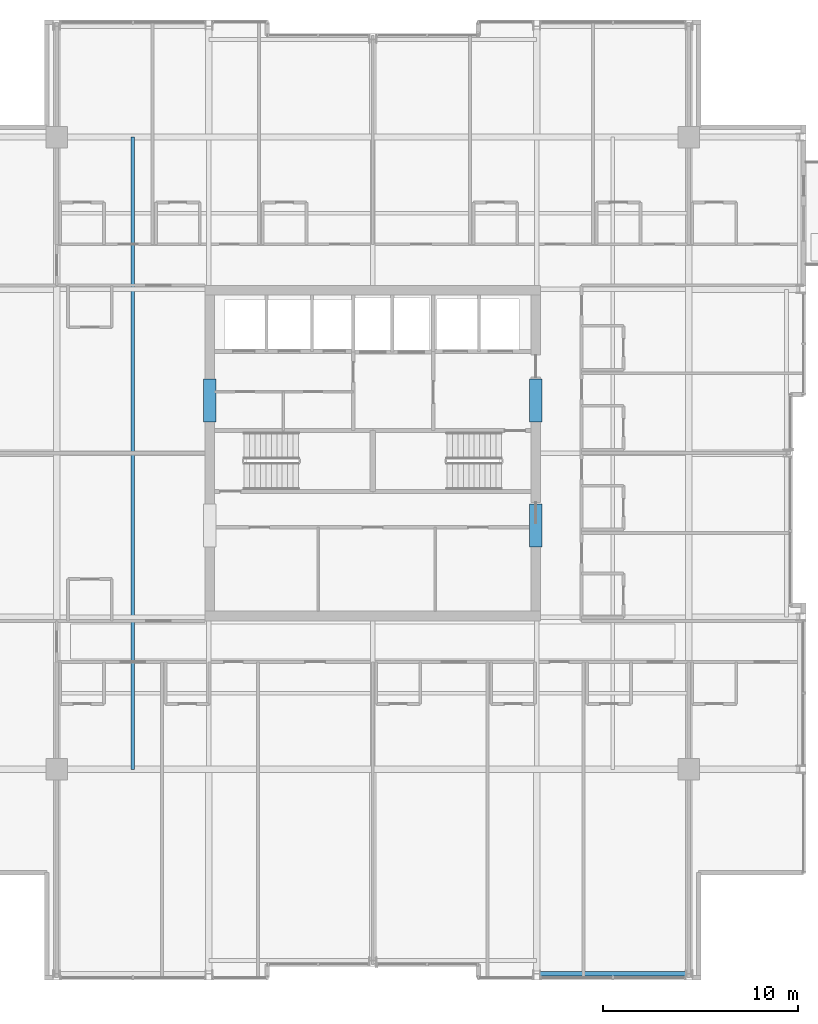
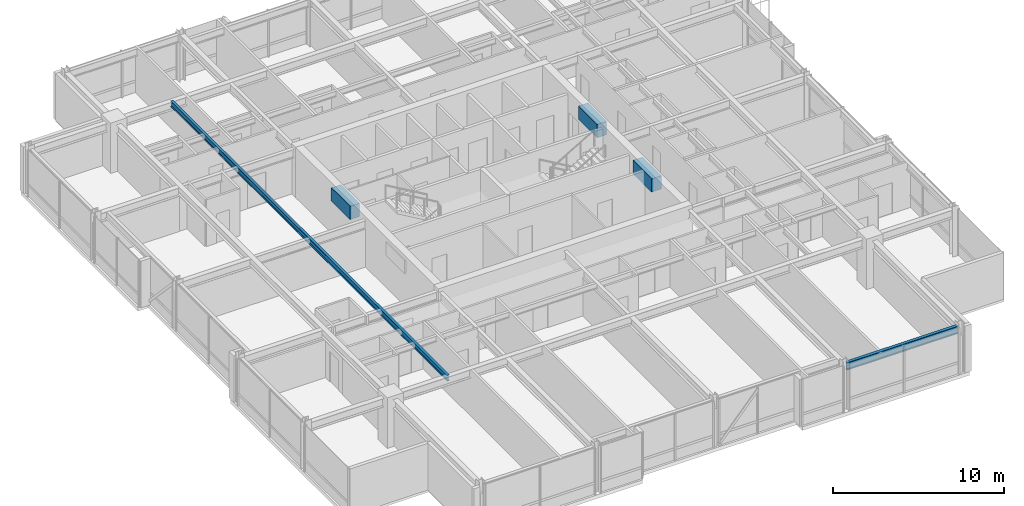
# One storey, part 11 of 33: 5 beams.
"""IFC4 building model written with IfcOpenShell, lengths in metres."""

from ifc_helpers import new_model, si_unit, direction, frame, origin, origin_2d, place, context, subcontext, project, spatial, rectangle, i_section, extrude, material, material_profile, profile_set, type_object, element, save


model = new_model("IFC4")

# Units and contexts
model_context = context("Model", 3, precision=1e-05, world=origin(), true_north=direction((0.0, 1.0)))
body_context = subcontext(model_context, "Body", "Model", "MODEL_VIEW")
ifc_project = project(units=[si_unit("LENGTHUNIT", "METRE"), si_unit("AREAUNIT", "SQUARE_METRE"), si_unit("VOLUMEUNIT", "CUBIC_METRE"), si_unit("PLANEANGLEUNIT", "RADIAN"), si_unit("MASSUNIT", "GRAM", prefix="KILO")], contexts=[model_context])

# Site, building, storey
site_placement = place(None, origin())
site = spatial("IfcSite", under=ifc_project, at=site_placement, CompositionType="ELEMENT")
building_placement = place(site_placement, origin())
building = spatial("IfcBuilding", under=site, at=building_placement, Name="Drelvath Grand Hotel", CompositionType="ELEMENT")
storey_placement = place(building_placement, frame((0.0, 0.0, 212.300048828125)))
storey = spatial("IfcBuildingStorey", under=building, at=storey_placement, Name="L55", CompositionType="ELEMENT", Elevation=212.300048828125)

# Beams
ifc_material_1 = material(Name="Steel ASTM A992 Gr 50", Category="steel")
ifc_material_profile_1 = material_profile(ifc_material_1, i_section(OverallWidth=0.177734375, OverallDepth=0.40673828125, WebThickness=0.0078125, FlangeThickness=0.0126953125, FilletRadius=0.014892578125, at=origin_2d()), Name="W16X40")
ifc_profile_set_1 = profile_set([ifc_material_profile_1], Name="Steel ASTM A992 Gr 50")
beam_type_1 = type_object("IfcBeamType", Name="Composite Floor Joist W16X40", PredefinedType="JOIST", material=ifc_profile_set_1)
beam_1_placement = place(storey_placement, frame((-12.300048828125, 10.800048828125, 3.136474609375), z_axis=(0.0, 1.0, 0.0), x_axis=(-1.0, 0.0, 0.0)))
element("IfcBeam", 1, at=beam_1_placement, inside=storey, type_object=beam_type_1, Name="L55 Wing Floor Joist J3", PredefinedType="JOIST", context=body_context, shape_type="SweptSolid", body=[
    extrude(i_section(OverallWidth=0.177734375, OverallDepth=0.40673828125, WebThickness=0.0078125, FlangeThickness=0.0126953125, FilletRadius=0.014892578125, at=origin_2d()), origin(), (0.0, 0.0, 1.0), 32.39990234375),
])
ifc_material_2 = material(Name="Concrete f'c 55 MPa", Category="concrete")
ifc_material_profile_2 = material_profile(ifc_material_2, rectangle(XDim=0.64990234375, YDim=0.949951171875, at=origin_2d()), Name="CB650X950")
ifc_profile_set_2 = profile_set([ifc_material_profile_2], Name="Concrete f'c 55 MPa")
beam_type_2 = type_object("IfcBeamType", Name="Core Coupling Lintel CB650X950", PredefinedType="LINTEL", material=ifc_profile_set_2)
for number, where, z_axis, x_axis, name in (
    (2, (-8.35009765625, 28.60009765625, 2.864990234375), (0.0, 1.0, 0.0), (-1.0, 0.0, 0.0), "L55 Core Coupling Lintel WN"),
    (3, (8.35009765625, 22.199951171875, 2.864990234375), (0.0, 1.0, 0.0), (-1.0, 0.0, 0.0), "L55 Core Coupling Lintel ES"),
    (4, (8.35009765625, 28.60009765625, 2.864990234375), (0.0, 1.0, 0.0), (-1.0, 0.0, 0.0), "L55 Core Coupling Lintel EN"),
):
    element("IfcBeam", number, at=place(storey_placement, frame(where, z_axis=z_axis, x_axis=x_axis)), inside=storey, type_object=beam_type_2, Name=name, PredefinedType="LINTEL", context=body_context, shape_type="SweptSolid", body=[
        extrude(rectangle(XDim=0.64990234375, YDim=0.949951171875, at=origin_2d()), origin(), (0.0, 0.0, 1.0), 2.199951171875),
    ])
ifc_material_profile_3 = material_profile(ifc_material_1, i_section(OverallWidth=0.210205078125, OverallDepth=0.53662109375, WebThickness=0.010986328125, FlangeThickness=0.017333984375, FilletRadius=0.01806640625, at=origin_2d()), Name="W21X68")
ifc_profile_set_3 = profile_set([ifc_material_profile_3], Name="Steel ASTM A992 Gr 50")
beam_type_3 = type_object("IfcBeamType", Name="Perimeter Spandrel Beam W21X68", PredefinedType="SPANDREL", material=ifc_profile_set_3)
beam_2_placement = place(storey_placement, frame((8.5400390625, 0.320068359375, 3.071533203125), z_axis=(1.0, 0.0, 0.0), x_axis=(0.0, 1.0, 0.0)))
element("IfcBeam", 5, at=beam_2_placement, inside=storey, type_object=beam_type_3, Name="L55 Spandrel South E", PredefinedType="SPANDREL", context=body_context, shape_type="SweptSolid", body=[
    extrude(i_section(OverallWidth=0.210205078125, OverallDepth=0.53662109375, WebThickness=0.010986328125, FlangeThickness=0.017333984375, FilletRadius=0.01806640625, at=origin_2d()), origin(), (0.0, 0.0, 1.0), 7.52001953125),
])

save(model, "model.ifc")
